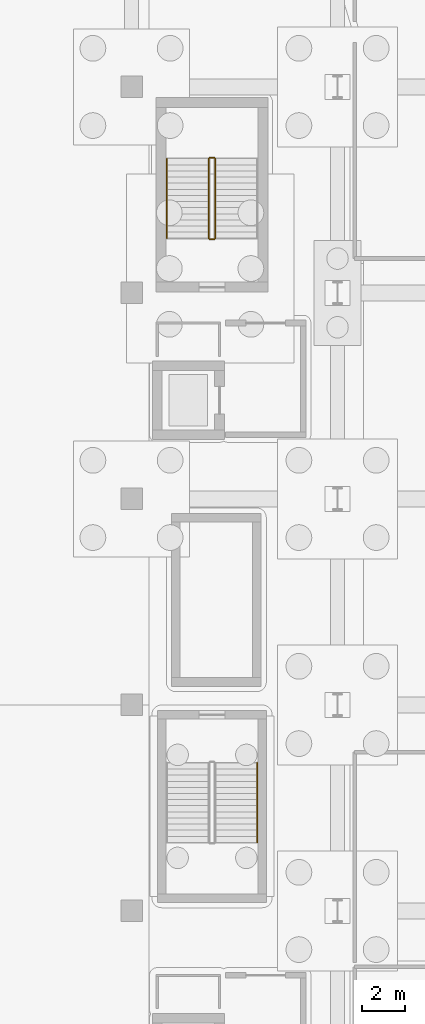
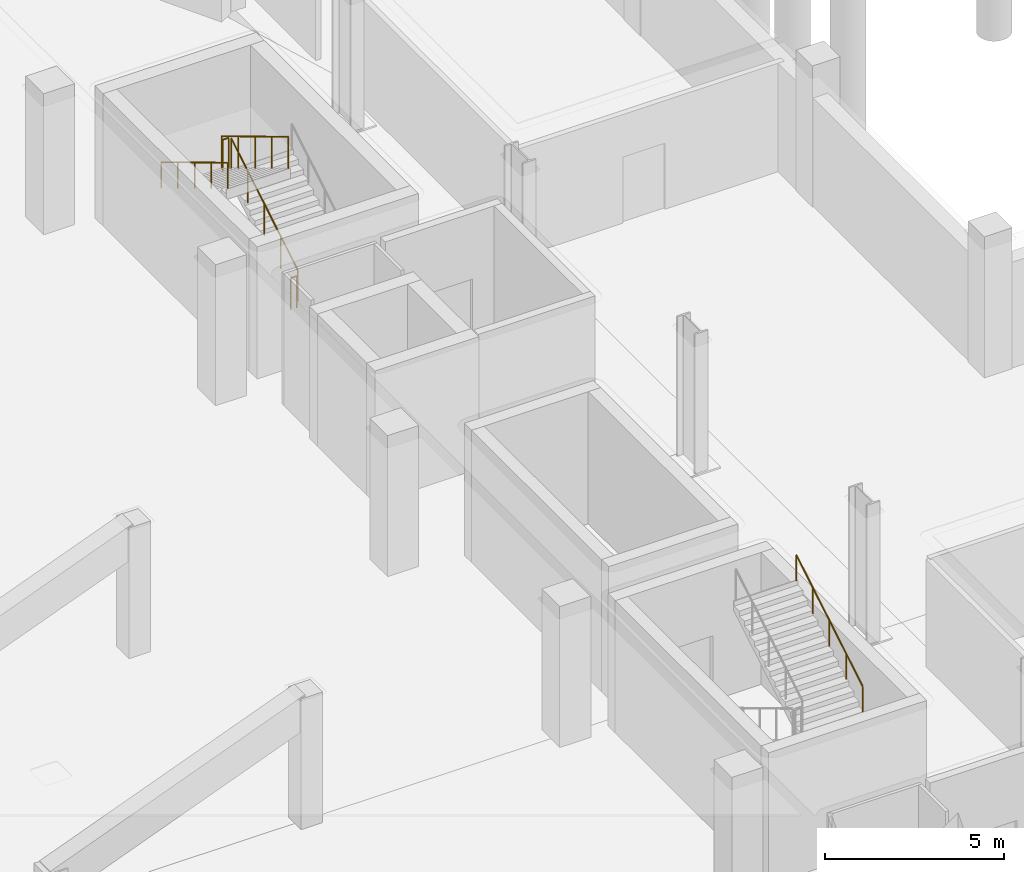
# One storey, part 58 of 67: 6 railings.
"""IFC4 building model written with IfcOpenShell, lengths in metres."""

from ifc_helpers import new_model, si_unit, direction, frame, origin, origin_2d, place, context, subcontext, project, spatial, circle, extrude, material, type_object, element, save


model = new_model("IFC4")

# Units and contexts
model_context = context("Model", 3, precision=1e-05, world=origin(), true_north=direction((0.0, 1.0)))
body_context = subcontext(model_context, "Body", "Model", "MODEL_VIEW")
ifc_project = project(units=[si_unit("LENGTHUNIT", "METRE"), si_unit("AREAUNIT", "SQUARE_METRE"), si_unit("VOLUMEUNIT", "CUBIC_METRE"), si_unit("PLANEANGLEUNIT", "RADIAN"), si_unit("MASSUNIT", "GRAM", prefix="KILO")], contexts=[model_context])

# Site, building, storey
site_placement = place(None, origin())
site = spatial("IfcSite", under=ifc_project, at=site_placement, CompositionType="ELEMENT")
building_placement = place(site_placement, origin())
building = spatial("IfcBuilding", under=site, at=building_placement, Name="Caelomonte Colonnade Arena", CompositionType="ELEMENT")
storey_placement = place(building_placement, frame((0.0, 0.0, -4.800048828125)))
storey = spatial("IfcBuildingStorey", under=building, at=storey_placement, Name="B1", CompositionType="ELEMENT", Elevation=-4.800048828125)

# Railings
ifc_material_1 = material(Name="Painted galvanized steel stair guard", Category="steel")
railing_type_1 = type_object("IfcRailingType", Name="INT-RL-GRD", PredefinedType="GUARDRAIL", material=ifc_material_1)
railing_1_placement = place(storey_placement, frame((157.5, 88.949951171875, 0.17138671875)))
element("IfcRailing", 1, at=railing_1_placement, inside=storey, type_object=railing_type_1, Name="B1 ST-03 stair guard 1", PredefinedType="GUARDRAIL", context=body_context, shape_type="SweptSolid", body=[
    extrude(circle(Radius=0.02392578125, at=origin_2d()), frame((0.0, 0.0, 1.076171875), z_axis=(0.0, 0.856909459561, 0.515466951525), x_axis=(-1.0, 0.0, 0.0)), (0.0, 0.0, 1.0), 4.32373046875),
    extrude(circle(Radius=0.02099609375, at=origin_2d()), origin(), (0.0, 0.0, 1.0), 1.048095703125),
    extrude(circle(Radius=0.02099609375, at=origin_2d()), frame((0.0, 0.92626953125, 0.55712890625)), (0.0, 0.0, 1.0), 1.048095703125),
    extrude(circle(Radius=0.02099609375, at=origin_2d()), frame((0.0, 1.8525390625, 1.1142578125)), (0.0, 0.0, 1.0), 1.048095703125),
    extrude(circle(Radius=0.02099609375, at=origin_2d()), frame((0.0, 2.77880859375, 1.671630859375)), (0.0, 0.0, 1.0), 1.048095703125),
    extrude(circle(Radius=0.02099609375, at=origin_2d()), frame((0.0, 3.705078125, 2.228759765625)), (0.0, 0.0, 1.0), 1.048095703125),
])
railing_2_placement = place(storey_placement, frame((157.449951171875, 92.705078125, 2.400146484375)))
element("IfcRailing", 2, at=railing_2_placement, inside=storey, type_object=railing_type_1, Name="B1 ST-03 stair guard 2", PredefinedType="GUARDRAIL", context=body_context, shape_type="SweptSolid", body=[
    extrude(circle(Radius=0.02392578125, at=origin_2d()), frame((0.0, 0.0, 1.076171875), z_axis=(-1.0, 0.0, 0.0), x_axis=(0.0, -1.0, 0.0)), (0.0, 0.0, 1.0), 0.199951171875),
    extrude(circle(Radius=0.02099609375, at=origin_2d()), origin(), (0.0, 0.0, 1.0), 1.048095703125),
    extrude(circle(Radius=0.02099609375, at=origin_2d()), frame((-0.199951171875, 0.0, 0.0)), (0.0, 0.0, 1.0), 1.048095703125),
])
railing_3_placement = place(storey_placement, frame((157.199951171875, 92.655029296875, 2.571533203125)))
element("IfcRailing", 3, at=railing_3_placement, inside=storey, type_object=railing_type_1, Name="B1 ST-03 stair guard 3", PredefinedType="GUARDRAIL", context=body_context, shape_type="SweptSolid", body=[
    extrude(circle(Radius=0.02392578125, at=origin_2d()), frame((0.0, 0.0, 1.076171875), z_axis=(0.0, -0.856934400257, 0.515425487977), x_axis=(1.0, 0.0, 0.0)), (0.0, 0.0, 1.0), 4.32373046875),
    extrude(circle(Radius=0.02099609375, at=origin_2d()), origin(), (0.0, 0.0, 1.0), 1.048095703125),
    extrude(circle(Radius=0.02099609375, at=origin_2d()), frame((0.0, -0.92626953125, 0.55712890625)), (0.0, 0.0, 1.0), 1.048095703125),
    extrude(circle(Radius=0.02099609375, at=origin_2d()), frame((0.0, -1.8525390625, 1.1142578125)), (0.0, 0.0, 1.0), 1.048095703125),
    extrude(circle(Radius=0.02099609375, at=origin_2d()), frame((0.0, -2.77880859375, 1.67138671875)), (0.0, 0.0, 1.0), 1.048095703125),
    extrude(circle(Radius=0.02099609375, at=origin_2d()), frame((0.0, -3.705078125, 2.228515625)), (0.0, 0.0, 1.0), 1.048095703125),
])
railing_4_placement = place(storey_placement, frame((157.449951171875, 88.89990234375, 0.0)))
element("IfcRailing", 4, at=railing_4_placement, inside=storey, type_object=railing_type_1, Name="B1 ST-03 stair guard 4", PredefinedType="GUARDRAIL", context=body_context, shape_type="SweptSolid", body=[
    extrude(circle(Radius=0.02392578125, at=origin_2d()), frame((0.0, 0.0, 1.076171875), z_axis=(-1.0, 0.0, 0.0), x_axis=(0.0, -1.0, 0.0)), (0.0, 0.0, 1.0), 0.199951171875),
    extrude(circle(Radius=0.02099609375, at=origin_2d()), origin(), (0.0, 0.0, 1.0), 1.048095703125),
    extrude(circle(Radius=0.02099609375, at=origin_2d()), frame((-0.199951171875, 0.0, 0.0)), (0.0, 0.0, 1.0), 1.048095703125),
])
ifc_material_2 = material(Name="Brushed stainless steel stair handrail", Category="steel")
railing_type_2 = type_object("IfcRailingType", Name="INT-RL-HR", PredefinedType="HANDRAIL", material=ifc_material_2)
railing_5_placement = place(storey_placement, frame((155.25, 92.655029296875, 2.571533203125)))
element("IfcRailing", 5, at=railing_5_placement, inside=storey, type_object=railing_type_2, Name="B1 ST-03 stair handrail 2", PredefinedType="HANDRAIL", context=body_context, shape_type="SweptSolid", body=[
    extrude(circle(Radius=0.02392578125, at=origin_2d()), frame((0.0, 0.0, 0.8759765625), z_axis=(0.0, -0.856934400257, 0.515425487977), x_axis=(1.0, 0.0, 0.0)), (0.0, 0.0, 1.0), 4.32373046875),
    extrude(circle(Radius=0.02099609375, at=origin_2d()), origin(), (0.0, 0.0, 1.0), 0.847900390625),
    extrude(circle(Radius=0.02099609375, at=origin_2d()), frame((0.0, -0.92626953125, 0.55712890625)), (0.0, 0.0, 1.0), 0.847900390625),
    extrude(circle(Radius=0.02099609375, at=origin_2d()), frame((0.0, -1.8525390625, 1.1142578125)), (0.0, 0.0, 1.0), 0.847900390625),
    extrude(circle(Radius=0.02099609375, at=origin_2d()), frame((0.0, -2.77880859375, 1.67138671875)), (0.0, 0.0, 1.0), 0.847900390625),
    extrude(circle(Radius=0.02099609375, at=origin_2d()), frame((0.0, -3.705078125, 2.228515625)), (0.0, 0.0, 1.0), 0.847900390625),
])
railing_6_placement = place(storey_placement, frame((159.449951171875, 60.794921875, 2.571533203125)))
element("IfcRailing", 6, at=railing_6_placement, inside=storey, type_object=railing_type_2, Name="B1 ST-10 stair handrail 2", PredefinedType="HANDRAIL", context=body_context, shape_type="SweptSolid", body=[
    extrude(circle(Radius=0.02392578125, at=origin_2d()), frame((0.0, 0.0, 0.8759765625), z_axis=(0.0, 0.856934400257, 0.515425487977), x_axis=(-1.0, 0.0, 0.0)), (0.0, 0.0, 1.0), 4.32373046875),
    extrude(circle(Radius=0.02099609375, at=origin_2d()), origin(), (0.0, 0.0, 1.0), 0.847900390625),
    extrude(circle(Radius=0.02099609375, at=origin_2d()), frame((0.0, 0.92626953125, 0.55712890625)), (0.0, 0.0, 1.0), 0.847900390625),
    extrude(circle(Radius=0.02099609375, at=origin_2d()), frame((0.0, 1.8525390625, 1.1142578125)), (0.0, 0.0, 1.0), 0.847900390625),
    extrude(circle(Radius=0.02099609375, at=origin_2d()), frame((0.0, 2.77880859375, 1.67138671875)), (0.0, 0.0, 1.0), 0.847900390625),
    extrude(circle(Radius=0.02099609375, at=origin_2d()), frame((0.0, 3.705078125, 2.228515625)), (0.0, 0.0, 1.0), 0.847900390625),
])

save(model, "model.ifc")
